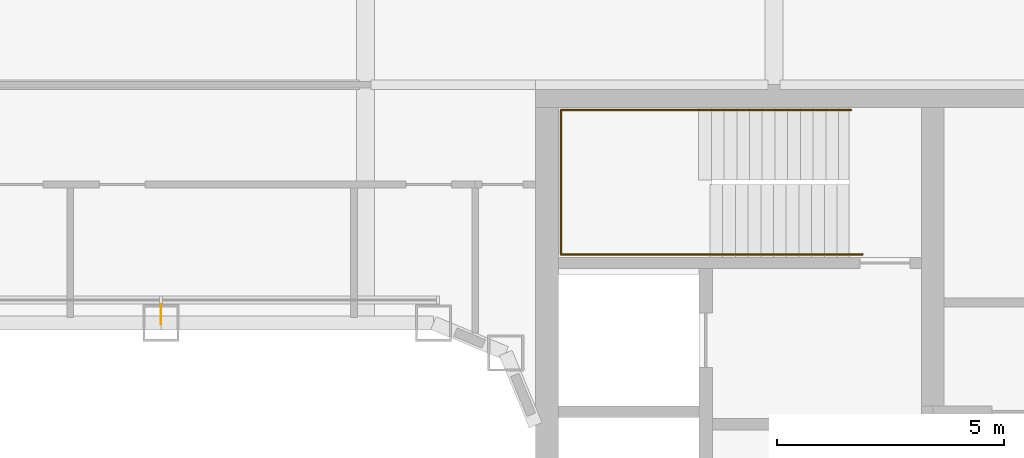
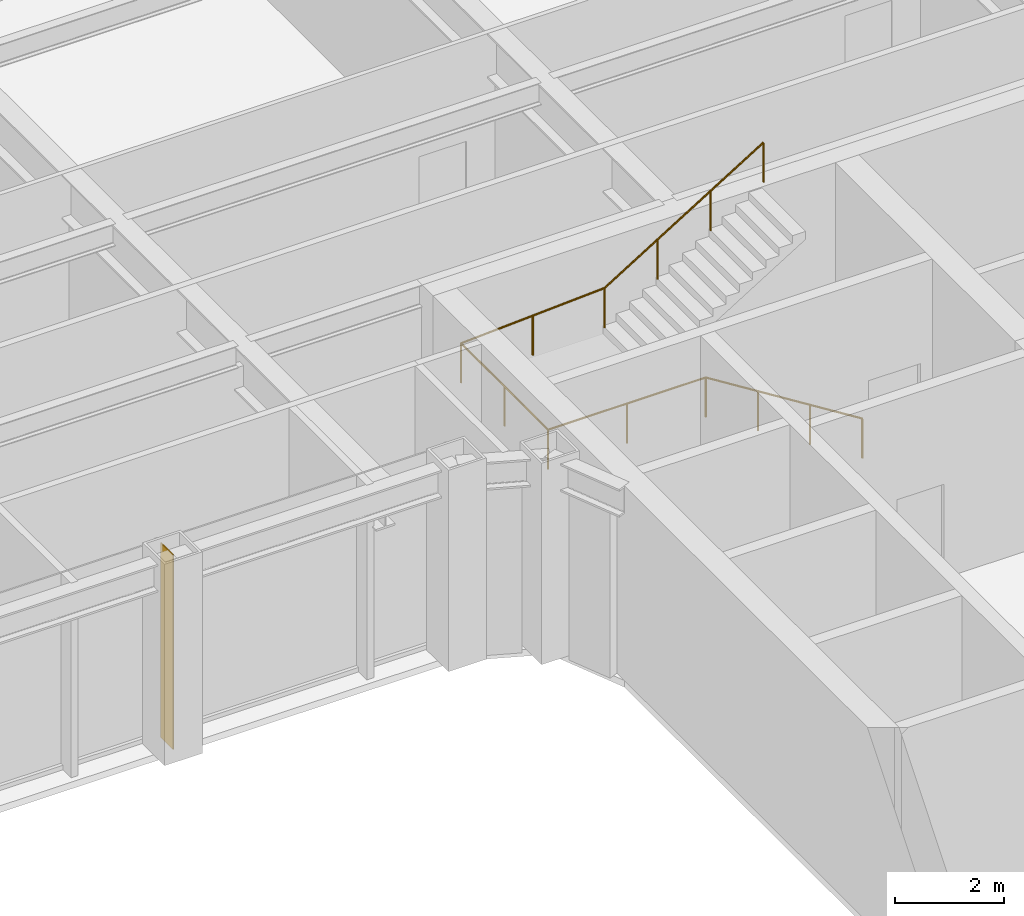
# One storey, part 28 of 30: 1 railing, 1 shading device.
"""IFC4 building model written with IfcOpenShell, lengths in metres."""

from ifc_helpers import new_model, si_unit, direction, frame, origin, origin_2d, place, context, subcontext, project, spatial, rectangle, circle, extrude, material, layer, layer_set, type_object, element, save


model = new_model("IFC4")

# Units and contexts
model_context = context("Model", 3, precision=1e-05, world=origin(), true_north=direction((0.0, 1.0)))
body_context = subcontext(model_context, "Body", "Model", "MODEL_VIEW")
ifc_project = project(units=[si_unit("LENGTHUNIT", "METRE"), si_unit("AREAUNIT", "SQUARE_METRE"), si_unit("VOLUMEUNIT", "CUBIC_METRE"), si_unit("PLANEANGLEUNIT", "RADIAN"), si_unit("MASSUNIT", "GRAM", prefix="KILO")], contexts=[model_context])

# Site, building, storey
site_placement = place(None, origin())
site = spatial("IfcSite", under=ifc_project, at=site_placement, CompositionType="ELEMENT")
building_placement = place(site_placement, origin())
building = spatial("IfcBuilding", under=site, at=building_placement, Name="Siwar Civic Tower", CompositionType="ELEMENT")
storey_placement = place(building_placement, frame((0.0, 0.0, 26.699951171875)))
storey = spatial("IfcBuildingStorey", under=building, at=storey_placement, Name="L05", CompositionType="ELEMENT", Elevation=26.699951171875)

# Railing
ifc_material_1 = material(Name="Stainless steel", Category="steel")
railing_type = type_object("IfcRailingType", Name="CORE-STAIR-HANDRAIL", PredefinedType="HANDRAIL", material=ifc_material_1)
railing_placement = place(storey_placement, frame((15.449951171875, 9.758056640625, 0.173095703125)))
element("IfcRailing", 1, at=railing_placement, inside=storey, type_object=railing_type, Name="Stair handrail ST3", PredefinedType="HANDRAIL", context=body_context, shape_type="SweptSolid", body=[
    extrude(circle(Radius=0.02001953125, at=origin_2d()), frame((0.0, 0.0, 0.8798828125), z_axis=(-0.847063342986, 0.0, 0.531491950051), x_axis=(0.0, -1.0, 0.0)), (0.0, 0.0, 1.0), 3.90771484375),
    extrude(circle(Radius=0.02001953125, at=origin_2d()), frame((-3.31005859375, 0.0, 2.956787109375), z_axis=(-1.0, 0.0, 0.0), x_axis=(0.0, -1.0, 0.0)), (0.0, 0.0, 1.0), 3.331787109375),
    extrude(circle(Radius=0.02001953125, at=origin_2d()), frame((-6.641845703125, 0.0, 2.956787109375), z_axis=(0.0, 1.0, 0.0), x_axis=(-1.0, 0.0, 0.0)), (0.0, 0.0, 1.0), 3.183837890625),
    extrude(circle(Radius=0.02001953125, at=origin_2d()), frame((-6.641845703125, 3.183837890625, 2.956787109375), z_axis=(0.99837434197, 0.0, 0.056997134106), x_axis=(0.0, 1.0, 0.0)), (0.0, 0.0, 1.0), 3.036865234375),
    extrude(circle(Radius=0.02001953125, at=origin_2d()), frame((-3.60986328125, 3.183837890625, 3.1298828125), z_axis=(0.850606129759, 0.0, 0.525803396734), x_axis=(0.0, 1.0, 0.0)), (0.0, 0.0, 1.0), 3.949951171875),
    extrude(circle(Radius=0.02001953125, at=origin_2d()), origin(), (0.0, 0.0, 1.0), 0.85986328125),
    extrude(circle(Radius=0.02001953125, at=origin_2d()), frame((-1.103271484375, 0.0, 0.6923828125)), (0.0, 0.0, 1.0), 0.85986328125),
    extrude(circle(Radius=0.02001953125, at=origin_2d()), frame((-2.206787109375, 0.0, 1.384521484375)), (0.0, 0.0, 1.0), 0.85986328125),
    extrude(circle(Radius=0.02001953125, at=origin_2d()), frame((-3.31005859375, 0.0, 2.076904296875)), (0.0, 0.0, 1.0), 0.85986328125),
    extrude(circle(Radius=0.02001953125, at=origin_2d()), frame((-4.97607421875, 0.0, 2.076904296875)), (0.0, 0.0, 1.0), 0.85986328125),
    extrude(circle(Radius=0.02001953125, at=origin_2d()), frame((-6.641845703125, 0.0, 2.076904296875)), (0.0, 0.0, 1.0), 0.85986328125),
    extrude(circle(Radius=0.02001953125, at=origin_2d()), frame((-6.641845703125, 1.591796875, 2.076904296875)), (0.0, 0.0, 1.0), 0.85986328125),
    extrude(circle(Radius=0.02001953125, at=origin_2d()), frame((-6.641845703125, 3.183837890625, 2.076904296875)), (0.0, 0.0, 1.0), 0.85986328125),
    extrude(circle(Radius=0.02001953125, at=origin_2d()), frame((-5.1259765625, 3.183837890625, 2.16357421875)), (0.0, 0.0, 1.0), 0.85986328125),
    extrude(circle(Radius=0.02001953125, at=origin_2d()), frame((-3.60986328125, 3.183837890625, 2.25)), (0.0, 0.0, 1.0), 0.85986328125),
    extrude(circle(Radius=0.02001953125, at=origin_2d()), frame((-2.489990234375, 3.183837890625, 2.9423828125)), (0.0, 0.0, 1.0), 0.85986328125),
    extrude(circle(Radius=0.02001953125, at=origin_2d()), frame((-1.369873046875, 3.183837890625, 3.634521484375)), (0.0, 0.0, 1.0), 0.85986328125),
    extrude(circle(Radius=0.02001953125, at=origin_2d()), frame((-0.25, 3.183837890625, 4.326904296875)), (0.0, 0.0, 1.0), 0.85986328125),
])

# Shading device
ifc_material_2 = material(Name="Aluminium 6063-T6", Category="aluminium")
ifc_layer = layer(ifc_material_2, 0.02001953125)
ifc_layer_set = layer_set([ifc_layer], Name="Aluminium 6063-T6")
shading_device_type = type_object("IfcShadingDeviceType", Name="ENV-FIN", PredefinedType="JALOUSIE", material=ifc_layer_set)
shading_device_placement = place(storey_placement, frame((0.0, 8.445068359375, 0.0), z_axis=(0.0, 0.0, 1.0), x_axis=(-1.0, 0.0, 0.0)))
element("IfcShadingDevice", 2, at=shading_device_placement, inside=storey, type_object=shading_device_type, Name="SUNSHADE fin WN 1", PredefinedType="JALOUSIE", context=body_context, shape_type="SweptSolid", body=[
    extrude(rectangle(XDim=0.02001953125, YDim=0.449951171875, at=origin_2d()), origin(), (0.0, 0.0, 1.0), 4.35009765625),
])

save(model, "model.ifc")
